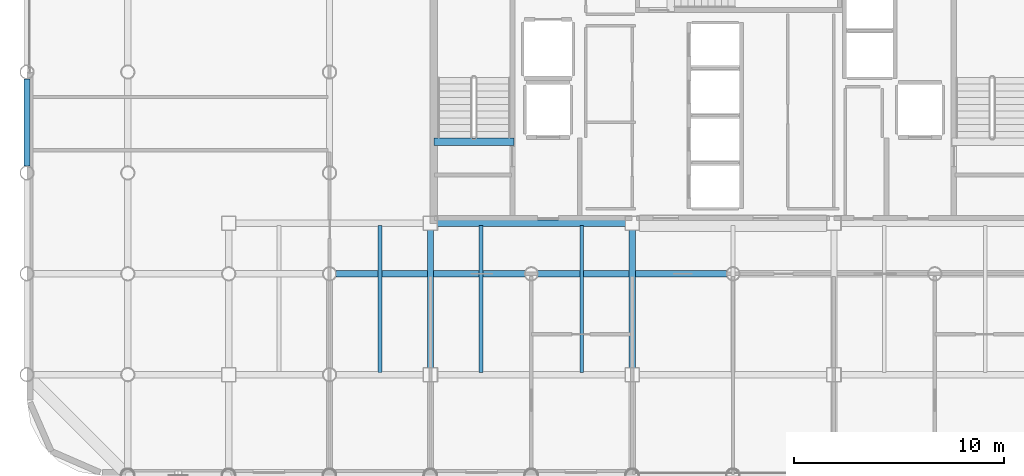
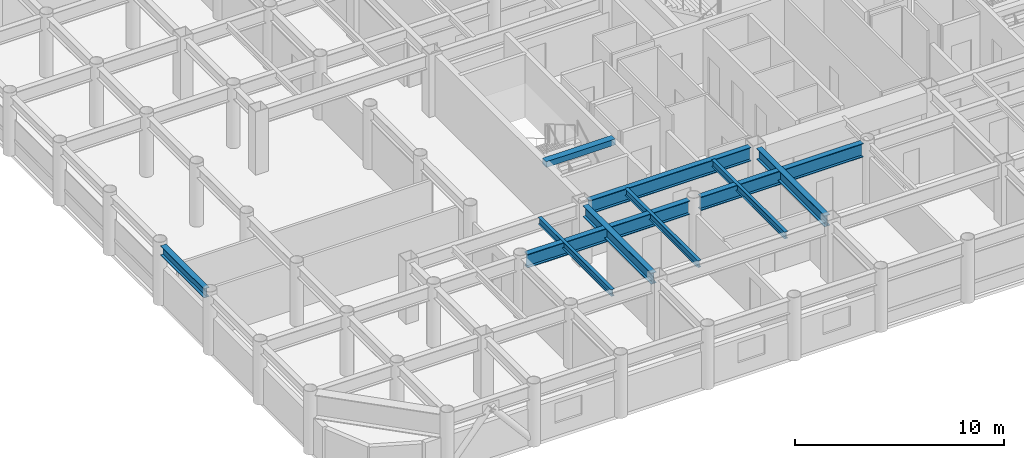
# One storey, part 3 of 20: 10 beams.
"""IFC4 building model written with IfcOpenShell, lengths in metres."""

import ifcopenshell
import ifcopenshell.guid

model = None  # the IFC model being written
_history = None  # IfcOwnerHistory: only IFC2X3 demands one
_inside = {}  # id of a spatial element -> (the spatial element, [elements in it])
_under = {}  # id of a project, library or spatial element -> (it, [spatial elements below it])
_declared = {}  # id of a project -> (the project, [libraries it declares])
_typed = {}  # id of a type object -> (the type object, [elements of that type])
_made_of = {}  # id of a material, layer set ... -> (it, [elements and type objects made of it])


def new_model(schema):
    """Start an empty IFC model of exactly this schema.

    Asked for "IFC4X3", IfcOpenShell would pick the latest addendum, in which some entities
    have other attributes; the version numbers below select the first issue.
    IFC2X3 requires an IfcOwnerHistory on every rooted entity: one is made here for all.
    """
    global model, _history
    if schema == "IFC4X3":
        model = ifcopenshell.file(schema_version=(4, 3, 0, 0))
    else:
        model = ifcopenshell.file(schema=schema)
    _inside.clear()
    _under.clear()
    _declared.clear()
    _typed.clear()
    _made_of.clear()
    _history = None
    if model.schema == "IFC2X3":
        org = make("IfcOrganization", Name="unknown")
        user = make(
            "IfcPersonAndOrganization",
            ThePerson=make("IfcPerson", FamilyName="unknown"),
            TheOrganization=org,
        )
        app = make(
            "IfcApplication",
            ApplicationDeveloper=org,
            Version="unknown",
            ApplicationFullName="unknown",
            ApplicationIdentifier="unknown",
        )
        _history = make(
            "IfcOwnerHistory",
            OwningUser=user,
            OwningApplication=app,
            ChangeAction="ADDED",
            CreationDate=0,
        )
    return model


def make(cls, **values):
    """One entity of the class cls with the attributes given. An attribute that is None is left unset."""
    return model.create_entity(
        cls, **{name: value for name, value in values.items() if value is not None}
    )


def rooted(cls, **values):
    """An entity with a GlobalId (a new one), such as an element, a storey or a relation."""
    return make(cls, GlobalId=ifcopenshell.guid.new(), OwnerHistory=_history, **values)


def si_unit(unit_type, name, prefix=None):
    """IfcSIUnit, for example si_unit("LENGTHUNIT", "METRE", prefix="MILLI")."""
    return make("IfcSIUnit", UnitType=unit_type, Prefix=prefix, Name=name)


def assignment(units):
    """IfcUnitAssignment: the units of a project."""
    return None if units is None else make("IfcUnitAssignment", Units=units)


def point(xyz):
    """IfcCartesianPoint."""
    return None if xyz is None else make("IfcCartesianPoint", Coordinates=xyz)


def direction(xyz):
    """IfcDirection."""
    return None if xyz is None else make("IfcDirection", DirectionRatios=xyz)


def frame(location, z_axis=None, x_axis=None):
    """IfcAxis2Placement3D, a coordinate frame: its origin and axes. An axis left out is left unset."""
    return make(
        "IfcAxis2Placement3D",
        Location=point(location),
        Axis=direction(z_axis),
        RefDirection=direction(x_axis),
    )


def frame_2d(location, x_axis=None):
    """IfcAxis2Placement2D, a coordinate frame in the plane: its origin and x axis."""
    return make(
        "IfcAxis2Placement2D", Location=point(location), RefDirection=direction(x_axis)
    )


def origin():
    """The frame at (0, 0, 0) with its axes left unset."""
    return frame((0.0, 0.0, 0.0))


def origin_2d():
    """The frame at (0, 0) in the plane with its x axis left unset."""
    return frame_2d((0.0, 0.0))


def place(relative_to, where):
    """IfcLocalPlacement: puts the frame where relative to a parent placement (None: the world)."""
    return make(
        "IfcLocalPlacement", PlacementRelTo=relative_to, RelativePlacement=where
    )


def context(
    kind, dimensions, precision=None, world=None, true_north=None, identifier=None
):
    """IfcGeometricRepresentationContext, for example the 3D "Model" context."""
    return make(
        "IfcGeometricRepresentationContext",
        ContextIdentifier=identifier,
        ContextType=kind,
        CoordinateSpaceDimension=dimensions,
        Precision=precision,
        WorldCoordinateSystem=world,
        TrueNorth=true_north,
    )


def subcontext(parent, identifier, kind, view, scale=None):
    """IfcGeometricRepresentationSubContext, for example "Body" below "Model"."""
    return make(
        "IfcGeometricRepresentationSubContext",
        ContextIdentifier=identifier,
        ContextType=kind,
        ParentContext=parent,
        TargetScale=scale,
        TargetView=view,
    )


def project(units=None, contexts=None):
    """IfcProject with its units and contexts."""
    return rooted(
        "IfcProject",
        Name="project",
        RepresentationContexts=contexts,
        UnitsInContext=assignment(units),
    )


def spatial(cls, under=None, at=None, **own):
    """A site, building, storey or space (cls), placed at a placement, below another one or the project."""
    s = rooted(cls, ObjectPlacement=at, **own)
    if under is not None:
        _under.setdefault(under.id(), (under, []))[1].append(s)
    return s


def profile(cls, at=None, kind="AREA", **sizes):
    """A parametric profile (cls). Its sizes go by their IFC names, for example OverallWidth=200.0."""
    return make(cls, ProfileType=kind, Position=at, **sizes)


def rectangle(**sizes):
    """IfcRectangleProfileDef."""
    return profile("IfcRectangleProfileDef", **sizes)


def i_section(**sizes):
    """IfcIShapeProfileDef."""
    return profile("IfcIShapeProfileDef", **sizes)


def extrude(swept, where, along, depth):
    """IfcExtrudedAreaSolid: the profile swept, set in the frame where, extruded along a direction by depth."""
    return make(
        "IfcExtrudedAreaSolid",
        SweptArea=swept,
        Position=where,
        ExtrudedDirection=direction(along),
        Depth=depth,
    )


def shape(context_of_items, identifier, shape_type, items):
    """IfcShapeRepresentation: the items that make up one representation, for example the "Body"."""
    return make(
        "IfcShapeRepresentation",
        ContextOfItems=context_of_items,
        RepresentationIdentifier=identifier,
        RepresentationType=shape_type,
        Items=items,
    )


def material(Name=None, Category=None):
    """IfcMaterial."""
    return make("IfcMaterial", Name=Name, Category=Category)


def material_profile(
    of_material, cross_section, Name=None, Category=None, Priority=None
):
    """IfcMaterialProfile: a cross section and its material."""
    return make(
        "IfcMaterialProfile",
        Name=Name,
        Material=of_material,
        Profile=cross_section,
        Priority=Priority,
        Category=Category,
    )


def profile_set(profiles, Name=None, composite=None):
    """IfcMaterialProfileSet."""
    return make(
        "IfcMaterialProfileSet",
        Name=Name,
        MaterialProfiles=profiles,
        CompositeProfile=composite,
    )


def made_of(thing, what):
    """Note that an element or type object is made of a material, layer set ...; save() writes the relation."""
    if what is not None:
        _made_of.setdefault(what.id(), (what, []))[1].append(thing)
    return thing


def type_object(cls, material=None, **own):
    """A type object (cls), such as IfcWallType, which elements share."""
    return made_of(rooted(cls, **own), material)


def element(
    cls,
    number,
    at=None,
    inside=None,
    cuts=None,
    type_object=None,
    material=None,
    context=None,
    identifier="Body",
    shape_type=None,
    held_by="IfcProductDefinitionShape",
    body=None,
    shapes=None,
    **own,
):
    """One element of the class cls, such as IfcWall. Its Tag is "e" and its number.

    at: its placement. inside: the storey or other place that contains it. cuts: it is an
    opening in that element (IfcRelVoidsElement). A single representation is given by context,
    identifier, shape_type and body (its items); several are given by shapes. held_by: the class
    of the entity that holds the representations. save() writes the other relations.
    """
    e = rooted(cls, Tag="e%d" % number, ObjectPlacement=at, **own)
    if body is not None:
        shapes = [shape(context, identifier, shape_type, body)]
    if shapes is not None:
        e.Representation = make(held_by, Representations=shapes)
    if inside is not None:
        _inside.setdefault(inside.id(), (inside, []))[1].append(e)
    if cuts is not None:
        rooted(
            "IfcRelVoidsElement", RelatingBuildingElement=cuts, RelatedOpeningElement=e
        )
    if type_object is not None:
        _typed.setdefault(type_object.id(), (type_object, []))[1].append(e)
    return made_of(e, material)


def aggregate(whole, parts):
    """IfcRelAggregates: a whole, such as a stair, and the parts it consists of."""
    return rooted("IfcRelAggregates", RelatingObject=whole, RelatedObjects=parts)


def save(model, path):
    """Write the relations noted so far, then the file.

    IfcRelAggregates (storeys below a building ...), IfcRelContainedInSpatialStructure (elements
    in a storey), IfcRelDefinesByType, IfcRelAssociatesMaterial and IfcRelDeclares: one each for
    every whole, place, type object, material and project.
    """
    for whole, parts in _under.values():
        aggregate(whole, parts)
    for where, things in _inside.values():
        rooted(
            "IfcRelContainedInSpatialStructure",
            RelatedElements=things,
            RelatingStructure=where,
        )
    for kind, things in _typed.values():
        rooted("IfcRelDefinesByType", RelatedObjects=things, RelatingType=kind)
    for what, things in _made_of.values():
        rooted("IfcRelAssociatesMaterial", RelatedObjects=things, RelatingMaterial=what)
    for by, libraries in _declared.values():
        rooted("IfcRelDeclares", RelatingContext=by, RelatedDefinitions=libraries)
    model.write(path)


model = new_model("IFC4")

# Units and contexts
model_context = context("Model", 3, precision=1e-05, world=origin(), true_north=direction((0.0, 1.0)))
body_context = subcontext(model_context, "Body", "Model", "MODEL_VIEW")
ifc_project = project(units=[si_unit("LENGTHUNIT", "METRE"), si_unit("AREAUNIT", "SQUARE_METRE"), si_unit("VOLUMEUNIT", "CUBIC_METRE"), si_unit("PLANEANGLEUNIT", "RADIAN"), si_unit("MASSUNIT", "GRAM", prefix="KILO")], contexts=[model_context])

# Site, building, storey
site_placement = place(None, origin())
site = spatial("IfcSite", under=ifc_project, at=site_placement, CompositionType="ELEMENT")
building_placement = place(site_placement, origin())
building = spatial("IfcBuilding", under=site, at=building_placement, Name="Kallvorn Hotel Tower", CompositionType="ELEMENT")
storey_placement = place(building_placement, frame((0.0, 0.0, 143.300048828125)))
storey = spatial("IfcBuildingStorey", under=building, at=storey_placement, Name="L35", CompositionType="ELEMENT", Elevation=143.300048828125)

# Beams
ifc_material_1 = material(Name="Structural steel S355JR", Category="steel")
ifc_material_profile_1 = material_profile(ifc_material_1, i_section(OverallWidth=0.300048828125, OverallDepth=0.550048828125, WebThickness=0.014892578125, FlangeThickness=0.029052734375, at=origin_2d()), Name="HE 550 B")
ifc_profile_set_1 = profile_set([ifc_material_profile_1], Name="Structural steel S355JR")
beam_type_1 = type_object("IfcBeamType", Name="BM_HE550B", PredefinedType="SPANDREL", material=ifc_profile_set_1)
beam_1_placement = place(storey_placement, frame((-33.60009765625, -4.47998046875, 3.244873046875), z_axis=(0.0, 1.0, 0.0), x_axis=(-1.0, 0.0, 0.0)))
element("IfcBeam", 1, at=beam_1_placement, inside=storey, type_object=beam_type_1, Name="L36 Perimeter Spandrel 176", PredefinedType="SPANDREL", context=body_context, shape_type="SweptSolid", body=[
    extrude(i_section(OverallWidth=0.300048828125, OverallDepth=0.550048828125, WebThickness=0.014892578125, FlangeThickness=0.029052734375, at=origin_2d()), origin(), (0.0, 0.0, 1.0), 4.159912109375),
])
ifc_material_2 = material(Name="Structural steel S355JR", Category="steel")
ifc_material_profile_2 = material_profile(ifc_material_2, i_section(OverallWidth=0.300048828125, OverallDepth=0.64990234375, WebThickness=0.01611328125, FlangeThickness=0.031005859375, at=origin_2d()), Name="HE 650 B")
ifc_profile_set_2 = profile_set([ifc_material_profile_2], Name="Structural steel S355JR")
beam_type_2 = type_object("IfcBeamType", Name="BM_HE650B", PredefinedType="BEAM", material=ifc_profile_set_2)
for number, where, z_axis, x_axis, name in (
    (2, (-14.39990234375, -14.074951171875, 3.195068359375), (0.0, 1.0, 0.0), (-1.0, 0.0, 0.0), "L36 Primary Y-Girder 99"),
    (3, (-4.800048828125, -14.074951171875, 3.195068359375), (0.0, 1.0, 0.0), (-1.0, 0.0, 0.0), "L36 Primary Y-Girder 107"),
):
    element("IfcBeam", number, at=place(storey_placement, frame(where, z_axis=z_axis, x_axis=x_axis)), inside=storey, type_object=beam_type_2, Name=name, PredefinedType="BEAM", context=body_context, shape_type="SweptSolid", body=[
        extrude(i_section(OverallWidth=0.300048828125, OverallDepth=0.64990234375, WebThickness=0.01611328125, FlangeThickness=0.031005859375, at=origin_2d()), origin(), (0.0, 0.0, 1.0), 6.550048828125),
    ])
ifc_material_3 = material(Name="Structural steel S355JR", Category="steel")
ifc_material_profile_3 = material_profile(ifc_material_3, i_section(OverallWidth=0.300048828125, OverallDepth=0.800048828125, WebThickness=0.017578125, FlangeThickness=0.032958984375, at=origin_2d()), Name="HE 800 B")
ifc_profile_set_3 = profile_set([ifc_material_profile_3], Name="Structural steel S355JR")
beam_type_3 = type_object("IfcBeamType", Name="BM_HE800B", PredefinedType="BEAM", material=ifc_profile_set_3)
for number, where, z_axis, x_axis, name in (
    (4, (-18.89501953125, -9.60009765625, 3.119873046875), (1.0, 0.0, 0.0), (0.0, 1.0, 0.0), "L36 Primary X-Girder 26"),
    (5, (-9.294921875, -9.60009765625, 3.119873046875), (1.0, 0.0, 0.0), (0.0, 1.0, 0.0), "L36 Primary X-Girder 27"),
):
    element("IfcBeam", number, at=place(storey_placement, frame(where, z_axis=z_axis, x_axis=x_axis)), inside=storey, type_object=beam_type_3, Name=name, PredefinedType="BEAM", context=body_context, shape_type="SweptSolid", body=[
        extrude(i_section(OverallWidth=0.300048828125, OverallDepth=0.800048828125, WebThickness=0.017578125, FlangeThickness=0.032958984375, at=origin_2d()), origin(), (0.0, 0.0, 1.0), 8.989990234375),
    ])
beam_2_placement = place(storey_placement, frame((-14.074951171875, -7.199951171875, 3.119873046875), z_axis=(1.0, 0.0, 0.0), x_axis=(0.0, 1.0, 0.0)))
element("IfcBeam", 6, at=beam_2_placement, inside=storey, type_object=beam_type_3, Name="L36 Primary X-Girder 33", PredefinedType="BEAM", context=body_context, shape_type="SweptSolid", body=[
    extrude(i_section(OverallWidth=0.300048828125, OverallDepth=0.800048828125, WebThickness=0.017578125, FlangeThickness=0.032958984375, at=origin_2d()), origin(), (0.0, 0.0, 1.0), 8.949951171875),
])
ifc_material_4 = material(Name="Structural steel S355JR", Category="steel")
ifc_material_profile_4 = material_profile(ifc_material_4, i_section(OverallWidth=0.179931640625, OverallDepth=0.39990234375, WebThickness=0.008544921875, FlangeThickness=0.013427734375, at=origin_2d()), Name="IPE 400")
ifc_profile_set_4 = profile_set([ifc_material_profile_4], Name="Structural steel S355JR")
beam_type_4 = type_object("IfcBeamType", Name="BM_IPE400", PredefinedType="JOIST", material=ifc_profile_set_4)
for number, where, z_axis, x_axis, name in (
    (7, (-16.800048828125, -14.300048828125, 3.320068359375), (0.0, 1.0, 0.0), (-1.0, 0.0, 0.0), "L36 Secondary Composite Joist 194"),
    (8, (-12.0, -14.300048828125, 3.320068359375), (0.0, 1.0, 0.0), (-1.0, 0.0, 0.0), "L36 Secondary Composite Joist 196"),
    (9, (-7.199951171875, -14.300048828125, 3.320068359375), (0.0, 1.0, 0.0), (-1.0, 0.0, 0.0), "L36 Secondary Composite Joist 198"),
):
    element("IfcBeam", number, at=place(storey_placement, frame(where, z_axis=z_axis, x_axis=x_axis)), inside=storey, type_object=beam_type_4, Name=name, PredefinedType="JOIST", context=body_context, shape_type="SweptSolid", body=[
        extrude(i_section(OverallWidth=0.179931640625, OverallDepth=0.39990234375, WebThickness=0.008544921875, FlangeThickness=0.013427734375, at=origin_2d()), origin(), (0.0, 0.0, 1.0), 7.0),
    ])
ifc_material_5 = material(Name="Concrete C50/60", Category="concrete")
ifc_material_profile_5 = material_profile(ifc_material_5, rectangle(XDim=0.360107421875, YDim=0.340087890625, at=origin_2d()), Name="RC 360x340")
ifc_profile_set_5 = profile_set([ifc_material_profile_5], Name="Concrete C50/60")
beam_type_5 = type_object("IfcBeamType", Name="BM_RC_400x360", PredefinedType="BEAM", material=ifc_profile_set_5)
beam_3_placement = place(storey_placement, frame((-10.419921875, -3.31005859375, 3.349853515625), z_axis=(-1.0, 0.0, 0.0), x_axis=(0.0, -1.0, 0.0)))
element("IfcBeam", 10, at=beam_3_placement, inside=storey, type_object=beam_type_5, Name="L36 Stair ST1 Arrival Trimmer Beam", PredefinedType="BEAM", context=body_context, shape_type="SweptSolid", body=[
    extrude(rectangle(XDim=0.360107421875, YDim=0.340087890625, at=origin_2d()), origin(), (0.0, 0.0, 1.0), 3.820068359375),
])

save(model, "model.ifc")
